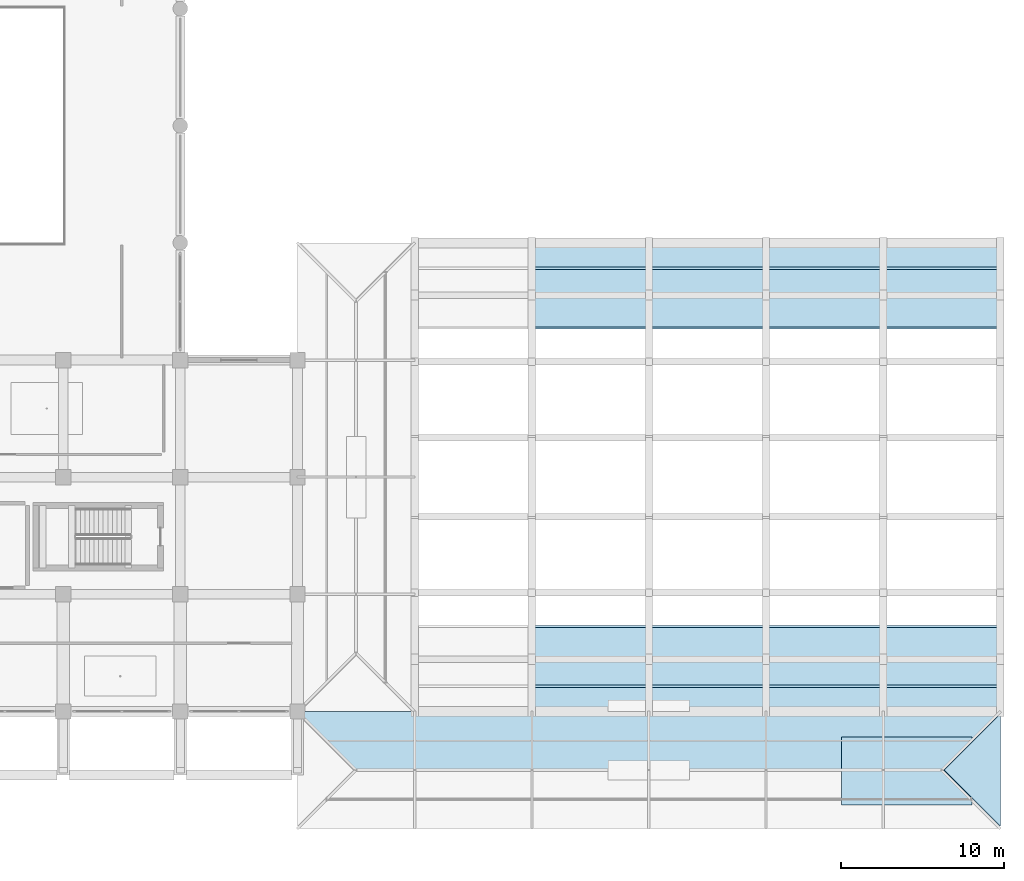
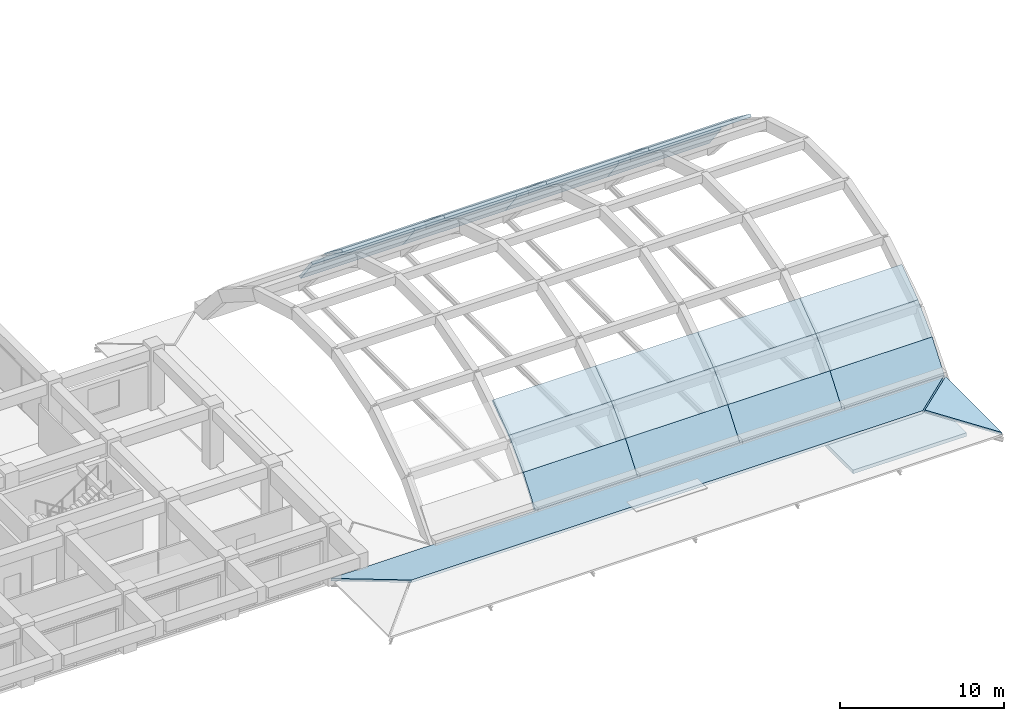
# One storey, part 31 of 54: 27 slabs.
"""IFC4 building model written with IfcOpenShell, lengths in metres."""

from ifc_helpers import new_model, si_unit, direction, frame, origin, place, context, subcontext, project, spatial, polyline, outline, extrude, material, layer, layer_set, type_object, element, save


model = new_model("IFC4")

# Units and contexts
model_context = context("Model", 3, precision=1e-05, world=origin(), true_north=direction((0.0, 1.0)))
body_context = subcontext(model_context, "Body", "Model", "MODEL_VIEW")
ifc_project = project(units=[si_unit("LENGTHUNIT", "METRE"), si_unit("AREAUNIT", "SQUARE_METRE"), si_unit("VOLUMEUNIT", "CUBIC_METRE"), si_unit("PLANEANGLEUNIT", "RADIAN"), si_unit("MASSUNIT", "GRAM", prefix="KILO")], contexts=[model_context])

# Site, building, storey
site_placement = place(None, origin())
site = spatial("IfcSite", under=ifc_project, at=site_placement, CompositionType="ELEMENT")
building_placement = place(site_placement, origin())
building = spatial("IfcBuilding", under=site, at=building_placement, Name="Kazehaya Institute of Natural Sciences", CompositionType="ELEMENT")
storey_placement = place(building_placement, frame((0.0, 0.0, 10.43994140625)))
storey = spatial("IfcBuildingStorey", under=building, at=storey_placement, Name="L02", CompositionType="ELEMENT", Elevation=10.43994140625)

# Slabs
ifc_material = material(Name="Concrete Fc36", Category="concrete")
ifc_layer_1 = layer(ifc_material, 0.27001953125, Name="Concrete Fc36", Category="concrete")
ifc_layer_set_1 = layer_set([ifc_layer_1], Name="Concrete Fc36")
slab_type_1 = type_object("IfcSlabType", Name="SL-FLR-270", PredefinedType="FLOOR", material=ifc_layer_set_1)
slab_1_placement = place(storey_placement, frame((0.0, 0.0, -0.27001953125)))
element("IfcSlab", 1, at=slab_1_placement, inside=storey, type_object=slab_type_1, Name="L02 east lecture stair core ST-5 enclosure cap slab", PredefinedType="FLOOR", context=body_context, shape_type="SweptSolid", body=[
    extrude(outline(polyline([(152.85009765625, 8.25), (160.85009765625, 8.25), (160.85009765625, 12.429931640625), (152.85009765625, 12.429931640625), (152.85009765625, 8.25)])), origin(), (0.0, 0.0, 1.0), 0.27001953125),
])
ifc_layer_2 = layer(ifc_material, 0.179931640625, Name="Concrete Fc36", Category="concrete")
ifc_layer_set_2 = layer_set([ifc_layer_2], Name="Concrete Fc36")
slab_type_2 = type_object("IfcSlabType", Name="SL-ROF-180", PredefinedType="ROOF", material=ifc_layer_set_2)
slab_2_placement = place(storey_placement, frame((162.60009765625, 14.0, 0.18017578125), z_axis=(0.0, 0.216432704115, 0.976297538965), x_axis=(-1.0, 0.0, 0.0)))
element("IfcSlab", 2, at=slab_2_placement, inside=storey, type_object=slab_type_2, Name="ROOF-VOL1-FOYER north pitched roof slab", PredefinedType="ROOF", context=body_context, shape_type="SweptSolid", body=[
    extrude(outline(polyline([(0.0, 0.0), (43.2001953125, 0.0), (39.60009765625, 3.687500493001096), (3.60009765625, 3.687500493001096), (0.0, 0.0)])), origin(), (0.0, 0.0, -1.0), 0.179931640625),
])
slab_3_placement = place(storey_placement, frame((162.60009765625, 6.9599609375, 0.18017578125), z_axis=(0.225990312699, 0.0, 0.97412954917), x_axis=(0.0, 1.0, 0.0)))
element("IfcSlab", 3, at=slab_3_placement, inside=storey, type_object=slab_type_2, Name="ROOF-VOL1-FOYER east hip pitched roof slab", PredefinedType="ROOF", context=body_context, shape_type="SweptSolid", body=[
    extrude(outline(polyline([(0.0, 0.0), (6.880126953125, 0.0), (3.43994140625, 3.531548293351548), (0.0, 0.0)])), origin(), (0.0, 0.0, -1.0), 0.179931640625),
])
ifc_layer_3 = layer(ifc_material, 0.199951171875, Name="Concrete Fc36", Category="concrete")
ifc_layer_set_3 = layer_set([ifc_layer_3], Name="Concrete Fc36")
slab_type_3 = type_object("IfcSlabType", Name="SL-SHL-200", PredefinedType="ROOF", material=ifc_layer_set_3)
slab_4_placement = place(storey_placement, frame((133.800048828125, 14.0, 0.199951171875), z_axis=(0.0, -0.796766128925, 0.604287792197), x_axis=(1.0, 0.0, 0.0)))
element("IfcSlab", 4, at=slab_4_placement, inside=storey, type_object=slab_type_3, Name="SH-VOL1 barrel vault shell strip 1", PredefinedType="ROOF", context=body_context, shape_type="SweptSolid", body=[
    extrude(outline(polyline([(0.0, 0.0), (7.199951171875, 0.0), (7.199951171875, 2.436607405261094), (0.0, 2.436607405261094), (0.0, 0.0)])), origin(), (0.0, 0.0, -1.0), 0.199951171875),
])
slab_5_placement = place(storey_placement, frame((133.800048828125, 15.472412109375, 2.141357421875), z_axis=(0.0, -0.703389209479, 0.710804909935), x_axis=(1.0, 0.0, 0.0)))
element("IfcSlab", 5, at=slab_5_placement, inside=storey, type_object=slab_type_3, Name="SH-VOL1 barrel vault shell strip 2", PredefinedType="ROOF", context=body_context, shape_type="SweptSolid", body=[
    extrude(outline(polyline([(0.0, 0.0), (7.199951171875, 0.0), (7.199951171875, 2.436237326051286), (0.0, 2.436237326051286), (0.0, 0.0)])), origin(), (0.0, 0.0, -1.0), 0.199951171875),
])
for number, where, z_axis, x_axis, name in (
    (6, (133.800048828125, 17.2041015625, 3.85498046875), (0.0, -0.595807312983, 0.803127415667), (1.0, 0.0, 0.0), "SH-VOL1 barrel vault shell strip 3"),
    (7, (133.800048828125, 37.638916015625, 5.306640625), (0.0, 0.595807312983, 0.803127415667), (1.0, 0.0, 0.0), "SH-VOL1 barrel vault shell strip 12"),
):
    element("IfcSlab", number, at=place(storey_placement, frame(where, z_axis=z_axis, x_axis=x_axis)), inside=storey, type_object=slab_type_3, Name=name, PredefinedType="ROOF", context=body_context, shape_type="SweptSolid", body=[
        extrude(outline(polyline([(0.0, 0.0), (7.199951171875, 0.0), (7.199951171875, 2.436459111222666), (0.0, 2.436459111222666), (0.0, 0.0)])), origin(), (0.0, 0.0, -1.0), 0.199951171875),
    ])
slab_6_placement = place(storey_placement, frame((133.800048828125, 39.595703125, 3.85498046875), z_axis=(0.0, 0.703339107972, 0.710854485248), x_axis=(1.0, 0.0, 0.0)))
element("IfcSlab", 8, at=slab_6_placement, inside=storey, type_object=slab_type_3, Name="SH-VOL1 barrel vault shell strip 13", PredefinedType="ROOF", context=body_context, shape_type="SweptSolid", body=[
    extrude(outline(polyline([(0.0, 0.0), (7.199951171875, 0.0), (7.199951171875, 2.43641086845814), (0.0, 2.43641086845814), (0.0, 0.0)])), origin(), (0.0, 0.0, -1.0), 0.199951171875),
])
for number, where, z_axis, x_axis, name in (
    (9, (133.800048828125, 41.32763671875, 2.141357421875), (0.0, 0.796766128925, 0.604287792197), (1.0, 0.0, 0.0), "SH-VOL1 barrel vault shell strip 14"),
    (10, (141.0, 14.0, 0.199951171875), (0.0, -0.796766128925, 0.604287792197), (1.0, 0.0, 0.0), "SH-VOL1 barrel vault shell strip 1"),
):
    element("IfcSlab", number, at=place(storey_placement, frame(where, z_axis=z_axis, x_axis=x_axis)), inside=storey, type_object=slab_type_3, Name=name, PredefinedType="ROOF", context=body_context, shape_type="SweptSolid", body=[
        extrude(outline(polyline([(0.0, 0.0), (7.199951171875, 0.0), (7.199951171875, 2.436607405261094), (0.0, 2.436607405261094), (0.0, 0.0)])), origin(), (0.0, 0.0, -1.0), 0.199951171875),
    ])
slab_7_placement = place(storey_placement, frame((141.0, 15.472412109375, 2.141357421875), z_axis=(0.0, -0.703389209479, 0.710804909935), x_axis=(1.0, 0.0, 0.0)))
element("IfcSlab", 11, at=slab_7_placement, inside=storey, type_object=slab_type_3, Name="SH-VOL1 barrel vault shell strip 2", PredefinedType="ROOF", context=body_context, shape_type="SweptSolid", body=[
    extrude(outline(polyline([(0.0, 0.0), (7.199951171875, 0.0), (7.199951171875, 2.436237326051286), (0.0, 2.436237326051286), (0.0, 0.0)])), origin(), (0.0, 0.0, -1.0), 0.199951171875),
])
for number, where, z_axis, x_axis, name in (
    (12, (141.0, 17.2041015625, 3.85498046875), (0.0, -0.595807312983, 0.803127415667), (1.0, 0.0, 0.0), "SH-VOL1 barrel vault shell strip 3"),
    (13, (141.0, 37.638916015625, 5.306640625), (0.0, 0.595807312983, 0.803127415667), (1.0, 0.0, 0.0), "SH-VOL1 barrel vault shell strip 12"),
):
    element("IfcSlab", number, at=place(storey_placement, frame(where, z_axis=z_axis, x_axis=x_axis)), inside=storey, type_object=slab_type_3, Name=name, PredefinedType="ROOF", context=body_context, shape_type="SweptSolid", body=[
        extrude(outline(polyline([(0.0, 0.0), (7.199951171875, 0.0), (7.199951171875, 2.436459111222666), (0.0, 2.436459111222666), (0.0, 0.0)])), origin(), (0.0, 0.0, -1.0), 0.199951171875),
    ])
slab_8_placement = place(storey_placement, frame((141.0, 39.595703125, 3.85498046875), z_axis=(0.0, 0.703339107972, 0.710854485248), x_axis=(1.0, 0.0, 0.0)))
element("IfcSlab", 14, at=slab_8_placement, inside=storey, type_object=slab_type_3, Name="SH-VOL1 barrel vault shell strip 13", PredefinedType="ROOF", context=body_context, shape_type="SweptSolid", body=[
    extrude(outline(polyline([(0.0, 0.0), (7.199951171875, 0.0), (7.199951171875, 2.43641086845814), (0.0, 2.43641086845814), (0.0, 0.0)])), origin(), (0.0, 0.0, -1.0), 0.199951171875),
])
for number, where, z_axis, x_axis, name in (
    (15, (141.0, 41.32763671875, 2.141357421875), (0.0, 0.796766128925, 0.604287792197), (1.0, 0.0, 0.0), "SH-VOL1 barrel vault shell strip 14"),
    (16, (148.199951171875, 14.0, 0.199951171875), (0.0, -0.796766128925, 0.604287792197), (1.0, 0.0, 0.0), "SH-VOL1 barrel vault shell strip 1"),
):
    element("IfcSlab", number, at=place(storey_placement, frame(where, z_axis=z_axis, x_axis=x_axis)), inside=storey, type_object=slab_type_3, Name=name, PredefinedType="ROOF", context=body_context, shape_type="SweptSolid", body=[
        extrude(outline(polyline([(0.0, 0.0), (7.199951171875, 0.0), (7.199951171875, 2.436607405261094), (0.0, 2.436607405261094), (0.0, 0.0)])), origin(), (0.0, 0.0, -1.0), 0.199951171875),
    ])
slab_9_placement = place(storey_placement, frame((148.199951171875, 15.472412109375, 2.141357421875), z_axis=(0.0, -0.703389209479, 0.710804909935), x_axis=(1.0, 0.0, 0.0)))
element("IfcSlab", 17, at=slab_9_placement, inside=storey, type_object=slab_type_3, Name="SH-VOL1 barrel vault shell strip 2", PredefinedType="ROOF", context=body_context, shape_type="SweptSolid", body=[
    extrude(outline(polyline([(0.0, 0.0), (7.199951171875, 0.0), (7.199951171875, 2.436237326051286), (0.0, 2.436237326051286), (0.0, 0.0)])), origin(), (0.0, 0.0, -1.0), 0.199951171875),
])
for number, where, z_axis, x_axis, name in (
    (18, (148.199951171875, 17.2041015625, 3.85498046875), (0.0, -0.595807312983, 0.803127415667), (1.0, 0.0, 0.0), "SH-VOL1 barrel vault shell strip 3"),
    (19, (148.199951171875, 37.638916015625, 5.306640625), (0.0, 0.595807312983, 0.803127415667), (1.0, 0.0, 0.0), "SH-VOL1 barrel vault shell strip 12"),
):
    element("IfcSlab", number, at=place(storey_placement, frame(where, z_axis=z_axis, x_axis=x_axis)), inside=storey, type_object=slab_type_3, Name=name, PredefinedType="ROOF", context=body_context, shape_type="SweptSolid", body=[
        extrude(outline(polyline([(0.0, 0.0), (7.199951171875, 0.0), (7.199951171875, 2.436459111222666), (0.0, 2.436459111222666), (0.0, 0.0)])), origin(), (0.0, 0.0, -1.0), 0.199951171875),
    ])
slab_10_placement = place(storey_placement, frame((148.199951171875, 39.595703125, 3.85498046875), z_axis=(0.0, 0.703339107972, 0.710854485248), x_axis=(1.0, 0.0, 0.0)))
element("IfcSlab", 20, at=slab_10_placement, inside=storey, type_object=slab_type_3, Name="SH-VOL1 barrel vault shell strip 13", PredefinedType="ROOF", context=body_context, shape_type="SweptSolid", body=[
    extrude(outline(polyline([(0.0, 0.0), (7.199951171875, 0.0), (7.199951171875, 2.43641086845814), (0.0, 2.43641086845814), (0.0, 0.0)])), origin(), (0.0, 0.0, -1.0), 0.199951171875),
])
slab_11_placement = place(storey_placement, frame((148.199951171875, 41.32763671875, 2.141357421875), z_axis=(0.0, 0.796766128925, 0.604287792197), x_axis=(1.0, 0.0, 0.0)))
element("IfcSlab", 21, at=slab_11_placement, inside=storey, type_object=slab_type_3, Name="SH-VOL1 barrel vault shell strip 14", PredefinedType="ROOF", context=body_context, shape_type="SweptSolid", body=[
    extrude(outline(polyline([(0.0, 0.0), (7.199951171875, 0.0), (7.199951171875, 2.436607405261094), (0.0, 2.436607405261094), (0.0, 0.0)])), origin(), (0.0, 0.0, -1.0), 0.199951171875),
])
slab_12_placement = place(storey_placement, frame((155.39990234375, 14.0, 0.199951171875), z_axis=(0.0, -0.796766128925, 0.604287792197), x_axis=(1.0, 0.0, 0.0)))
element("IfcSlab", 22, at=slab_12_placement, inside=storey, type_object=slab_type_3, Name="SH-VOL1 barrel vault shell strip 1", PredefinedType="ROOF", context=body_context, shape_type="SweptSolid", body=[
    extrude(outline(polyline([(0.0, 0.0), (7.2001953125, 0.0), (7.2001953125, 2.4366074052610935), (0.0, 2.4366074052610935), (0.0, 0.0)])), origin(), (0.0, 0.0, -1.0), 0.199951171875),
])
slab_13_placement = place(storey_placement, frame((155.39990234375, 15.472412109375, 2.141357421875), z_axis=(0.0, -0.703389209479, 0.710804909935), x_axis=(1.0, 0.0, 0.0)))
element("IfcSlab", 23, at=slab_13_placement, inside=storey, type_object=slab_type_3, Name="SH-VOL1 barrel vault shell strip 2", PredefinedType="ROOF", context=body_context, shape_type="SweptSolid", body=[
    extrude(outline(polyline([(0.0, 0.0), (7.2001953125, 0.0), (7.2001953125, 2.436237326051286), (0.0, 2.436237326051286), (0.0, 0.0)])), origin(), (0.0, 0.0, -1.0), 0.199951171875),
])
for number, where, z_axis, x_axis, name in (
    (24, (155.39990234375, 17.2041015625, 3.85498046875), (0.0, -0.595807312983, 0.803127415667), (1.0, 0.0, 0.0), "SH-VOL1 barrel vault shell strip 3"),
    (25, (155.39990234375, 37.638916015625, 5.306640625), (0.0, 0.595807312983, 0.803127415667), (1.0, 0.0, 0.0), "SH-VOL1 barrel vault shell strip 12"),
):
    element("IfcSlab", number, at=place(storey_placement, frame(where, z_axis=z_axis, x_axis=x_axis)), inside=storey, type_object=slab_type_3, Name=name, PredefinedType="ROOF", context=body_context, shape_type="SweptSolid", body=[
        extrude(outline(polyline([(0.0, 0.0), (7.2001953125, 0.0), (7.2001953125, 2.436459111222666), (0.0, 2.436459111222666), (0.0, 0.0)])), origin(), (0.0, 0.0, -1.0), 0.199951171875),
    ])
slab_14_placement = place(storey_placement, frame((155.39990234375, 39.595703125, 3.85498046875), z_axis=(0.0, 0.703339107972, 0.710854485248), x_axis=(1.0, 0.0, 0.0)))
element("IfcSlab", 26, at=slab_14_placement, inside=storey, type_object=slab_type_3, Name="SH-VOL1 barrel vault shell strip 13", PredefinedType="ROOF", context=body_context, shape_type="SweptSolid", body=[
    extrude(outline(polyline([(0.0, 0.0), (7.2001953125, 0.0), (7.2001953125, 2.4364108684581405), (0.0, 2.4364108684581405), (0.0, 0.0)])), origin(), (0.0, 0.0, -1.0), 0.199951171875),
])
slab_15_placement = place(storey_placement, frame((155.39990234375, 41.32763671875, 2.141357421875), z_axis=(0.0, 0.796766128925, 0.604287792197), x_axis=(1.0, 0.0, 0.0)))
element("IfcSlab", 27, at=slab_15_placement, inside=storey, type_object=slab_type_3, Name="SH-VOL1 barrel vault shell strip 14", PredefinedType="ROOF", context=body_context, shape_type="SweptSolid", body=[
    extrude(outline(polyline([(0.0, 0.0), (7.2001953125, 0.0), (7.2001953125, 2.4366074052610935), (0.0, 2.4366074052610935), (0.0, 0.0)])), origin(), (0.0, 0.0, -1.0), 0.199951171875),
])

save(model, "model.ifc")
